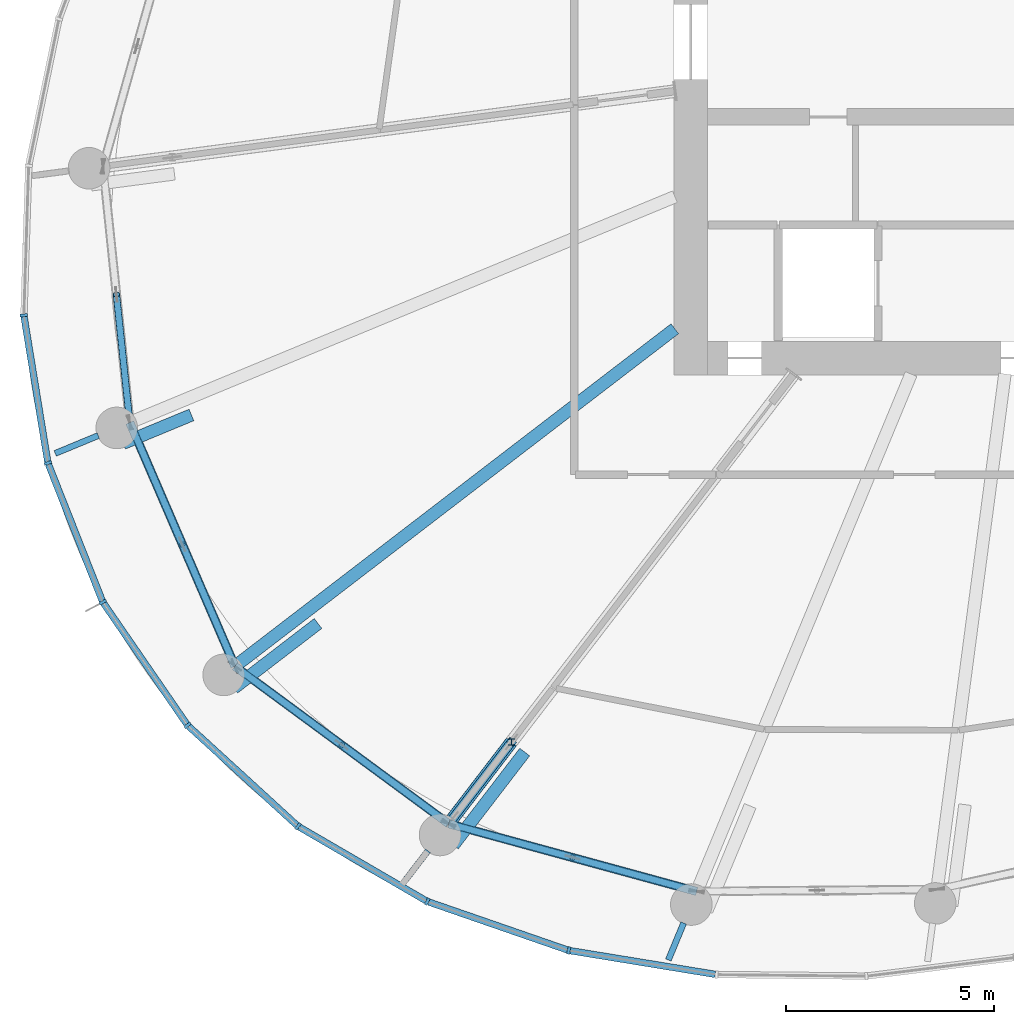
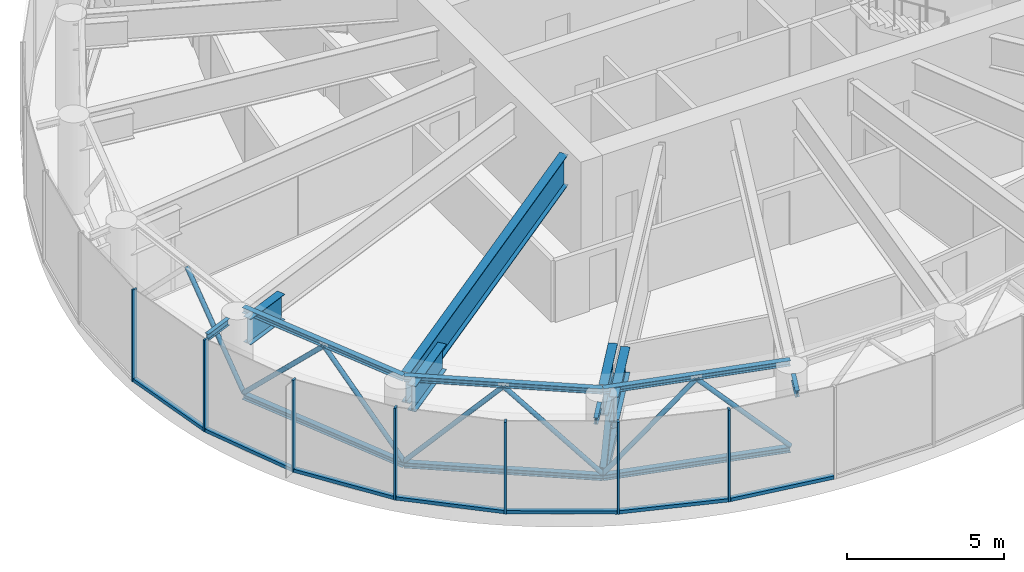
# One storey, part 2 of 25: 30 members, 8 beams, 2 elements without a shape of their own.
"""IFC4 building model written with IfcOpenShell, lengths in metres."""

from ifc_helpers import new_model, si_unit, direction, frame, origin, origin_2d, place, context, subcontext, project, spatial, rectangle, hollow_circle, i_section, extrude, source, transform, mapped, material, layer, layer_set, material_profile, profile_set, type_object, element, aggregate, save


model = new_model("IFC4")

# Units and contexts
model_context = context("Model", 3, precision=1e-05, world=origin(), true_north=direction((0.0, 1.0)))
body_context = subcontext(model_context, "Body", "Model", "MODEL_VIEW")
ifc_project = project(units=[si_unit("LENGTHUNIT", "METRE"), si_unit("AREAUNIT", "SQUARE_METRE"), si_unit("VOLUMEUNIT", "CUBIC_METRE"), si_unit("PLANEANGLEUNIT", "RADIAN"), si_unit("MASSUNIT", "GRAM", prefix="KILO")], contexts=[model_context])

# Site, building, storey
site_placement = place(None, origin())
site = spatial("IfcSite", under=ifc_project, at=site_placement, CompositionType="ELEMENT")
building_placement = place(site_placement, origin())
building = spatial("IfcBuilding", under=site, at=building_placement, Name="Spindrift Exchange Tower", CompositionType="ELEMENT")
storey_placement = place(building_placement, frame((0.0, 0.0, 179.89990234375)))
storey = spatial("IfcBuildingStorey", under=building, at=storey_placement, Name="L43", CompositionType="ELEMENT", Elevation=179.89990234375)

# Beams
ifc_material_1 = material(Name="Steel Grade 300", Category="steel")
ifc_material_profile_1 = material_profile(ifc_material_1, i_section(OverallWidth=0.14599609375, OverallDepth=0.251953125, WebThickness=0.006103515625, FlangeThickness=0.008544921875, FilletRadius=0.011962890625, at=origin_2d()), Name="250UB31.4")
ifc_profile_set_1 = profile_set([ifc_material_profile_1], Name="Steel Grade 300")
beam_type_1 = type_object("IfcBeamType", Name="Cantilever Beam 250UB31.4 Steel Grade 300", PredefinedType="BEAM", material=ifc_profile_set_1)
shared_shape_1 = source(origin(), body_context, "Body", "SweptSolid", [
    extrude(i_section(OverallWidth=0.14599609375, OverallDepth=0.251953125, WebThickness=0.006103515625, FlangeThickness=0.008544921875, FilletRadius=0.011962890625, at=origin_2d()), origin(), (0.0, 0.0, 1.0), 0.964111328125),
])
beam_1_placement = place(storey_placement, frame((43.229248046875, 26.82568359375, 3.4541015625), z_axis=(-0.382672391391, -0.923884105755, 0.0), x_axis=(0.923884105755, -0.382672391391, 0.0)))
element("IfcBeam", 1, at=beam_1_placement, inside=storey, type_object=beam_type_1, Name="L43 cantilever beam R17T", PredefinedType="BEAM", context=body_context, shape_type="MappedRepresentation", body=[
    mapped(shared_shape_1, transform((0.0, 0.0, 0.0), scale=1.0)),
])
shared_shape_2 = source(origin(), body_context, "Body", "SweptSolid", [
    extrude(i_section(OverallWidth=0.14599609375, OverallDepth=0.251953125, WebThickness=0.006103515625, FlangeThickness=0.008544921875, FilletRadius=0.011962890625, at=origin_2d()), origin(), (0.0, 0.0, 1.0), 1.1201171875),
])
beam_2_placement = place(storey_placement, frame((29.159912109375, 38.539306640625, 3.4541015625), z_axis=(-0.923868073298, -0.382711096181, 0.0), x_axis=(0.382711096181, -0.923868073298, 0.0)))
element("IfcBeam", 2, at=beam_2_placement, inside=storey, type_object=beam_type_1, Name="L43 cantilever beam R14T", PredefinedType="BEAM", context=body_context, shape_type="MappedRepresentation", body=[
    mapped(shared_shape_2, transform((0.0, 0.0, 0.0), scale=1.0)),
])
shared_shape_3 = source(origin(), body_context, "Body", "SweptSolid", [
    extrude(i_section(OverallWidth=0.14599609375, OverallDepth=0.251953125, WebThickness=0.006103515625, FlangeThickness=0.008544921875, FilletRadius=0.011962890625, at=origin_2d()), origin(), (0.0, 0.0, 1.0), 0.89990234375),
])
beam_3_placement = place(storey_placement, frame((37.0830078125, 28.559814453125, 3.4541015625), z_axis=(-0.608818785139, -0.79330932609, 0.0), x_axis=(0.79330932609, -0.608818785139, 0.0)))
element("IfcBeam", 3, at=beam_3_placement, inside=storey, type_object=beam_type_1, Name="L43 cantilever beam R16T", PredefinedType="BEAM", context=body_context, shape_type="MappedRepresentation", body=[
    mapped(shared_shape_3, transform((0.0, 0.0, 0.0), scale=1.0)),
])
ifc_material_profile_2 = material_profile(ifc_material_1, i_section(OverallWidth=0.300048828125, OverallDepth=1.199951171875, WebThickness=0.011962890625, FlangeThickness=0.028076171875, at=origin_2d()), Name="1200WB249")
ifc_profile_set_2 = profile_set([ifc_material_profile_2], Name="Steel Grade 300")
beam_type_2 = type_object("IfcBeamType", Name="Transfer Girder 1200WB249 Steel Grade 300", PredefinedType="BEAM", material=ifc_profile_set_2)
shared_shape_4 = source(origin(), body_context, "Body", "SweptSolid", [
    extrude(i_section(OverallWidth=0.300048828125, OverallDepth=1.199951171875, WebThickness=0.011962890625, FlangeThickness=0.028076171875, at=origin_2d()), origin(), (0.0, 0.0, 1.0), 13.185546875),
])
beam_4_placement = place(storey_placement, frame((43.015869140625, 41.106201171875, 2.97998046875), z_axis=(-0.793357156703, -0.608756455332, 0.0), x_axis=(0.608756455332, -0.793357156703, 0.0)))
element("IfcBeam", 4, at=beam_4_placement, inside=storey, type_object=beam_type_2, Name="L43 radial beam R15A", PredefinedType="BEAM", context=body_context, shape_type="MappedRepresentation", body=[
    mapped(shared_shape_4, transform((0.0, 0.0, 0.0), scale=1.0)),
])
ifc_material_profile_3 = material_profile(ifc_material_1, i_section(OverallWidth=0.300048828125, OverallDepth=1.199951171875, WebThickness=0.011962890625, FlangeThickness=0.028076171875, at=origin_2d()), Name="1200WB249")
ifc_profile_set_3 = profile_set([ifc_material_profile_3], Name="Steel Grade 300")
beam_type_3 = type_object("IfcBeamType", Name="Outrigger Truss Transfer Girder 1200WB249 Steel Grade 300", PredefinedType="BEAM", material=ifc_profile_set_3)
shared_shape_5 = source(origin(), body_context, "Body", "SweptSolid", [
    extrude(i_section(OverallWidth=0.300048828125, OverallDepth=1.199951171875, WebThickness=0.011962890625, FlangeThickness=0.028076171875, at=origin_2d()), origin(), (0.0, 0.0, 1.0), 2.339111328125),
])
beam_5_placement = place(storey_placement, frame((39.09130859375, 31.177001953125, 2.97998046875), z_axis=(-0.608797399117, -0.793325738161, 0.0), x_axis=(0.793325738161, -0.608797399117, 0.0)))
element("IfcBeam", 5, at=beam_5_placement, inside=storey, type_object=beam_type_3, Name="L43 outrigger truss 16 top chord 2", PredefinedType="BEAM", context=body_context, shape_type="MappedRepresentation", body=[
    mapped(shared_shape_5, transform((0.0, 0.0, 0.0), scale=1.0)),
])

# Members
ifc_material_profile_4 = material_profile(ifc_material_1, i_section(OverallWidth=0.306884765625, OverallDepth=0.31396484375, WebThickness=0.011962890625, FlangeThickness=0.018798828125, FilletRadius=0.0166015625, at=origin_2d()), Name="310UC118")
ifc_profile_set_4 = profile_set([ifc_material_profile_4], Name="Steel Grade 300")
member_type_1 = type_object("IfcMemberType", Name="Outrigger Truss Chord 310UC118 Steel Grade 300", PredefinedType="CHORD", material=ifc_profile_set_4)
shared_shape_6 = source(origin(), body_context, "Body", "SweptSolid", [
    extrude(i_section(OverallWidth=0.306884765625, OverallDepth=0.31396484375, WebThickness=0.011962890625, FlangeThickness=0.018798828125, FilletRadius=0.0166015625, at=origin_2d()), origin(), (0.0, 0.0, 1.0), 2.339111328125),
])
member_1_placement = place(storey_placement, frame((39.09130859375, 31.177001953125, 0.156982421875), z_axis=(-0.608797399117, -0.793325738161, 0.0), x_axis=(0.793325738161, -0.608797399117, 0.0)))
element("IfcMember", 6, at=member_1_placement, inside=storey, type_object=member_type_1, Name="L43 outrigger truss 16 bottom chord 2", PredefinedType="CHORD", context=body_context, shape_type="MappedRepresentation", body=[
    mapped(shared_shape_6, transform((0.0, 0.0, 0.0), scale=1.0)),
])
ifc_material_profile_5 = material_profile(ifc_material_1, i_section(OverallWidth=0.205078125, OverallDepth=0.2099609375, WebThickness=0.00927734375, FlangeThickness=0.01416015625, FilletRadius=0.012939453125, at=origin_2d()), Name="200UC59.5")
ifc_profile_set_5 = profile_set([ifc_material_profile_5], Name="Steel Grade 300")
member_type_2 = type_object("IfcMemberType", Name="Outrigger Truss Diagonal 200UC59.5 Steel Grade 300", PredefinedType="BRACE", material=ifc_profile_set_5)
shared_shape_7 = source(origin(), body_context, "Body", "SweptSolid", [
    extrude(i_section(OverallWidth=0.205078125, OverallDepth=0.2099609375, WebThickness=0.00927734375, FlangeThickness=0.01416015625, FilletRadius=0.012939453125, at=origin_2d()), origin(), (0.0, 0.0, 1.0), 3.120849609375),
])
member_2_placement = place(storey_placement, frame((39.09130859375, 31.177001953125, 2.380126953125), z_axis=(-0.456309935525, -0.594618861637, -0.661974056989), x_axis=(0.793325738161, -0.608797399117, 0.0)))
element("IfcMember", 7, at=member_2_placement, inside=storey, type_object=member_type_2, Name="L43 outrigger truss 16 diagonal 2", PredefinedType="BRACE", context=body_context, shape_type="MappedRepresentation", body=[
    mapped(shared_shape_7, transform((0.0, 0.0, 0.0), scale=1.0)),
])
ifc_material_profile_6 = material_profile(ifc_material_1, i_section(OverallWidth=0.154052734375, OverallDepth=0.162109375, WebThickness=0.008056640625, FlangeThickness=0.011474609375, FilletRadius=0.008056640625, at=origin_2d()), Name="150UC37.2")
ifc_profile_set_6 = profile_set([ifc_material_profile_6], Name="Steel Grade 300")
member_type_3 = type_object("IfcMemberType", Name="Outrigger Truss Post 150UC37.2 Steel Grade 300", PredefinedType="POST", material=ifc_profile_set_6)
shared_shape_8 = source(origin(), body_context, "Body", "SweptSolid", [
    extrude(i_section(OverallWidth=0.154052734375, OverallDepth=0.162109375, WebThickness=0.008056640625, FlangeThickness=0.011474609375, FilletRadius=0.008056640625, at=origin_2d()), origin(), (0.0, 0.0, 1.0), 2.06591796875),
])
member_3_placement = place(storey_placement, frame((39.09130859375, 31.177001953125, 0.314208984375), z_axis=(0.0, 0.0, 1.0), x_axis=(1.0, 0.0, 0.0)))
element("IfcMember", 8, at=member_3_placement, inside=storey, type_object=member_type_3, Name="L43 outrigger truss 16 post 1", PredefinedType="POST", context=body_context, shape_type="MappedRepresentation", body=[
    mapped(shared_shape_8, transform((0.0, 0.0, 0.0), scale=1.0)),
])
ifc_material_2 = material(Name="Steel Grade 350", Category="steel")
ifc_material_profile_7 = material_profile(ifc_material_2, hollow_circle(Radius=0.084228515625, WallThickness=0.007080078125, at=origin_2d()), Name="168.3x7.1CHS")
ifc_profile_set_7 = profile_set([ifc_material_profile_7], Name="Steel Grade 350")
member_type_4 = type_object("IfcMemberType", Name="Belt Truss Diagonal 168.3x7.1CHS Steel Grade 350", PredefinedType="BRACE", material=ifc_profile_set_7)
shared_shape_9 = source(origin(), body_context, "Body", "SweptSolid", [
    extrude(hollow_circle(Radius=0.084228515625, WallThickness=0.007080078125, at=origin_2d()), origin(), (0.0, 0.0, 1.0), 4.422607421875),
])
member_4_placement = place(storey_placement, frame((29.59619140625, 41.9306640625, 3.3701171875), z_axis=(0.072645747237, -0.695875600053, -0.714478652347), x_axis=(0.994595008741, 0.103830480049, 0.0)))
element("IfcMember", 9, at=member_4_placement, inside=storey, type_object=member_type_4, Name="L43 belt truss 13 diagonal 2", PredefinedType="BRACE", context=body_context, shape_type="MappedRepresentation", body=[
    mapped(shared_shape_9, transform((0.0, 0.0, 0.0), scale=1.0)),
])
ifc_material_profile_8 = material_profile(ifc_material_1, i_section(OverallWidth=0.205078125, OverallDepth=0.2099609375, WebThickness=0.00927734375, FlangeThickness=0.01416015625, FilletRadius=0.012939453125, at=origin_2d()), Name="200UC59.5")
ifc_profile_set_8 = profile_set([ifc_material_profile_8], Name="Steel Grade 300")
member_type_5 = type_object("IfcMemberType", Name="Belt Truss Chord 200UC59.5 Steel Grade 300", PredefinedType="CHORD", material=ifc_profile_set_8)
shared_shape_10 = source(origin(), body_context, "Body", "SweptSolid", [
    extrude(i_section(OverallWidth=0.205078125, OverallDepth=0.2099609375, WebThickness=0.00927734375, FlangeThickness=0.01416015625, FilletRadius=0.012939453125, at=origin_2d()), origin(), (0.0, 0.0, 1.0), 6.38037109375),
])
for number, where, z_axis, x_axis, name in (
    (10, (29.91748046875, 38.85302734375, 3.47509765625), (0.395959532566, -0.918267961202, 0.0), (0.918267961202, 0.395959532566, 0.0), "L43 belt truss 14 top chord"),
    (11, (29.91748046875, 38.85302734375, 0.10498046875), (0.395959532566, -0.918267961202, 0.0), (0.918267961202, 0.395959532566, 0.0), "L43 belt truss 14 bottom chord"),
):
    element("IfcMember", number, at=place(storey_placement, frame(where, z_axis=z_axis, x_axis=x_axis)), inside=storey, type_object=member_type_5, Name=name, PredefinedType="CHORD", context=body_context, shape_type="MappedRepresentation", body=[
        mapped(shared_shape_10, transform((0.0, 0.0, 0.0), scale=1.0)),
    ])
shared_shape_11 = source(origin(), body_context, "Body", "SweptSolid", [
    extrude(hollow_circle(Radius=0.084228515625, WallThickness=0.007080078125, at=origin_2d()), origin(), (0.0, 0.0, 1.0), 4.490234375),
])
for number, where, z_axis, x_axis, name in (
    (12, (29.91748046875, 38.85302734375, 0.210205078125), (0.281317190071, -0.652401423205, 0.703727945708), (0.918267961202, 0.395959532566, 0.0), "L43 belt truss 14 diagonal 1"),
    (13, (31.1806640625, 35.923583984375, 3.3701171875), (0.281317190071, -0.652401423205, -0.703727945708), (0.918267961202, 0.395959532566, 0.0), "L43 belt truss 14 diagonal 2"),
):
    element("IfcMember", number, at=place(storey_placement, frame(where, z_axis=z_axis, x_axis=x_axis)), inside=storey, type_object=member_type_4, Name=name, PredefinedType="BRACE", context=body_context, shape_type="MappedRepresentation", body=[
        mapped(shared_shape_11, transform((0.0, 0.0, 0.0), scale=1.0)),
    ])
shared_shape_12 = source(origin(), body_context, "Body", "SweptSolid", [
    extrude(i_section(OverallWidth=0.205078125, OverallDepth=0.2099609375, WebThickness=0.00927734375, FlangeThickness=0.01416015625, FilletRadius=0.012939453125, at=origin_2d()), origin(), (0.0, 0.0, 1.0), 6.381103515625),
])
for number, where, z_axis, x_axis, name in (
    (14, (32.44384765625, 32.994140625, 3.47509765625), (0.805212557034, -0.592986288201, 0.0), (0.592986288201, 0.805212557034, 0.0), "L43 belt truss 15 top chord"),
    (15, (32.44384765625, 32.994140625, 0.10498046875), (0.805212557034, -0.592986288201, 0.0), (0.592986288201, 0.805212557034, 0.0), "L43 belt truss 15 bottom chord"),
):
    element("IfcMember", number, at=place(storey_placement, frame(where, z_axis=z_axis, x_axis=x_axis)), inside=storey, type_object=member_type_5, Name=name, PredefinedType="CHORD", context=body_context, shape_type="MappedRepresentation", body=[
        mapped(shared_shape_12, transform((0.0, 0.0, 0.0), scale=1.0)),
    ])
shared_shape_13 = source(origin(), body_context, "Body", "SweptSolid", [
    extrude(hollow_circle(Radius=0.084228515625, WallThickness=0.007080078125, at=origin_2d()), origin(), (0.0, 0.0, 1.0), 4.490478515625),
])
for number, where, z_axis, x_axis, name in (
    (16, (32.44384765625, 32.994140625, 0.210205078125), (0.572120394731, -0.421301999313, 0.703692318636), (0.592961481053, 0.805230825284, 0.0), "L43 belt truss 15 diagonal 1"),
    (17, (35.012939453125, 31.102294921875, 3.3701171875), (0.572107289584, -0.421346716172, -0.703676199666), (0.59301109366, 0.80519428885, 0.0), "L43 belt truss 15 diagonal 2"),
):
    element("IfcMember", number, at=place(storey_placement, frame(where, z_axis=z_axis, x_axis=x_axis)), inside=storey, type_object=member_type_4, Name=name, PredefinedType="BRACE", context=body_context, shape_type="MappedRepresentation", body=[
        mapped(shared_shape_13, transform((0.0, 0.0, 0.0), scale=1.0)),
    ])
shared_shape_14 = source(origin(), body_context, "Body", "SweptSolid", [
    extrude(i_section(OverallWidth=0.205078125, OverallDepth=0.2099609375, WebThickness=0.00927734375, FlangeThickness=0.01416015625, FilletRadius=0.012939453125, at=origin_2d()), origin(), (0.0, 0.0, 1.0), 6.17919921875),
])
for number, where, z_axis, x_axis, name in (
    (18, (37.58203125, 29.210205078125, 3.47509765625), (0.964715481207, -0.263294588474, 0.0), (0.263294588474, 0.964715481207, 0.0), "L43 belt truss 16 top chord"),
    (19, (37.58203125, 29.210205078125, 0.10498046875), (0.964715481207, -0.263294588474, 0.0), (0.263294588474, 0.964715481207, 0.0), "L43 belt truss 16 bottom chord"),
):
    element("IfcMember", number, at=place(storey_placement, frame(where, z_axis=z_axis, x_axis=x_axis)), inside=storey, type_object=member_type_5, Name=name, PredefinedType="CHORD", context=body_context, shape_type="MappedRepresentation", body=[
        mapped(shared_shape_14, transform((0.0, 0.0, 0.0), scale=1.0)),
    ])
shared_shape_15 = source(origin(), body_context, "Body", "SweptSolid", [
    extrude(hollow_circle(Radius=0.084228515625, WallThickness=0.007080078125, at=origin_2d()), origin(), (0.0, 0.0, 1.0), 4.419189453125),
])
member_5_placement = place(storey_placement, frame((37.58203125, 29.210205078125, 0.210205078125), z_axis=(0.67442497447, -0.184074706335, 0.715029689103), x_axis=(0.263304624553, 0.964712742058, 0.0)))
element("IfcMember", 20, at=member_5_placement, inside=storey, type_object=member_type_4, Name="L43 belt truss 16 diagonal 1", PredefinedType="BRACE", context=body_context, shape_type="MappedRepresentation", body=[
    mapped(shared_shape_15, transform((0.0, 0.0, 0.0), scale=1.0)),
])
shared_shape_16 = source(origin(), body_context, "Body", "SweptSolid", [
    extrude(hollow_circle(Radius=0.084228515625, WallThickness=0.007080078125, at=origin_2d()), origin(), (0.0, 0.0, 1.0), 4.41943359375),
])
member_6_placement = place(storey_placement, frame((40.5625, 28.396728515625, 3.3701171875), z_axis=(0.674455089384, -0.184067848131, -0.715003048726), x_axis=(0.263284553131, 0.964718220043, 0.0)))
element("IfcMember", 21, at=member_6_placement, inside=storey, type_object=member_type_4, Name="L43 belt truss 16 diagonal 2", PredefinedType="BRACE", context=body_context, shape_type="MappedRepresentation", body=[
    mapped(shared_shape_16, transform((0.0, 0.0, 0.0), scale=1.0)),
])

# Beams
ifc_material_profile_9 = material_profile(ifc_material_1, i_section(OverallWidth=0.300048828125, OverallDepth=1.0, WebThickness=0.010009765625, FlangeThickness=0.02001953125, at=origin_2d()), Name="1000WB215")
ifc_profile_set_9 = profile_set([ifc_material_profile_9], Name="Steel Grade 300")
beam_type_4 = type_object("IfcBeamType", Name="Transfer Tie Beam 1000WB215 Steel Grade 300", PredefinedType="BEAM", material=ifc_profile_set_9)
shared_shape_17 = source(origin(), body_context, "Body", "SweptSolid", [
    extrude(i_section(OverallWidth=0.300048828125, OverallDepth=1.0, WebThickness=0.010009765625, FlangeThickness=0.02001953125, at=origin_2d()), origin(), (0.0, 0.0, 1.0), 1.77880859375),
])
beam_6_placement = place(storey_placement, frame((29.75634765625, 38.353515625, 2.97998046875), z_axis=(0.923903097912, 0.382626535499, 0.0), x_axis=(-0.382626535499, 0.923903097912, 0.0)))
element("IfcBeam", 22, at=beam_6_placement, inside=storey, type_object=beam_type_4, Name="L43 transfer tie beam K14", PredefinedType="BEAM", context=body_context, shape_type="MappedRepresentation", body=[
    mapped(shared_shape_17, transform((0.0, 0.0, 0.0), scale=1.0)),
])
shared_shape_18 = source(origin(), body_context, "Body", "SweptSolid", [
    extrude(i_section(OverallWidth=0.300048828125, OverallDepth=1.0, WebThickness=0.010009765625, FlangeThickness=0.02001953125, at=origin_2d()), origin(), (0.0, 0.0, 1.0), 2.551025390625),
])
beam_7_placement = place(storey_placement, frame((32.41748046875, 32.4697265625, 2.97998046875), z_axis=(0.793359844795, 0.60875295208, 0.0), x_axis=(-0.60875295208, 0.793359844795, 0.0)))
element("IfcBeam", 23, at=beam_7_placement, inside=storey, type_object=beam_type_4, Name="L43 transfer tie beam K15", PredefinedType="BEAM", context=body_context, shape_type="MappedRepresentation", body=[
    mapped(shared_shape_18, transform((0.0, 0.0, 0.0), scale=1.0)),
])
shared_shape_19 = source(origin(), body_context, "Body", "SweptSolid", [
    extrude(i_section(OverallWidth=0.300048828125, OverallDepth=1.0, WebThickness=0.010009765625, FlangeThickness=0.02001953125, at=origin_2d()), origin(), (0.0, 0.0, 1.0), 2.81884765625),
])
beam_8_placement = place(storey_placement, frame((37.6923828125, 28.697021484375, 2.97998046875), z_axis=(0.60877695358, 0.793341427627, 0.0), x_axis=(-0.793341427627, 0.60877695358, 0.0)))
element("IfcBeam", 24, at=beam_8_placement, inside=storey, type_object=beam_type_4, Name="L43 transfer tie beam K16", PredefinedType="BEAM", context=body_context, shape_type="MappedRepresentation", body=[
    mapped(shared_shape_19, transform((0.0, 0.0, 0.0), scale=1.0)),
])

# Curtain wall, members
ifc_material_3 = material(Name="Fritted laminated glass with bronze frame", Category="glass")
ifc_layer = layer(ifc_material_3, 0.179931640625)
ifc_layer_set = layer_set([ifc_layer], Name="ZONE 3 BRONZE FRITTED WALL")
curtain_wall_type = type_object("IfcCurtainWallType", Name="ZONE 3 BRONZE FRITTED WALL", PredefinedType="NOTDEFINED", material=ifc_layer_set)
curtain_wall_1_placement = place(storey_placement, origin())
curtain_wall_1 = element("IfcCurtainWall", 25, at=curtain_wall_1_placement, inside=storey, type_object=curtain_wall_type, Name="L43 Zone 3 Bronze Fritted Wall run 4", PredefinedType="NOTDEFINED")
ifc_material_4 = material(Name="Bronze anodised aluminium", Category="aluminium")
ifc_material_profile_10 = material_profile(ifc_material_4, rectangle(XDim=0.159912109375, YDim=0.1298828125, at=origin_2d()), Name="ZONE 3 BRONZE FRITTED WALL TRANSOM 160X130")
ifc_profile_set_10 = profile_set([ifc_material_profile_10], Name="Bronze anodised aluminium")
member_type_6 = type_object("IfcMemberType", Name="ZONE 3 BRONZE FRITTED WALL TRANSOM 160X130", PredefinedType="USERDEFINED", material=ifc_profile_set_10)
shared_shape_20 = source(origin(), body_context, "Body", "SweptSolid", [
    extrude(rectangle(XDim=0.159912109375, YDim=0.1298828125, at=origin_2d()), origin(), (0.0, 0.0, 1.0), 3.525146484375),
])
member_7_placement = place(storey_placement, frame((27.96240234375, 37.84814453125, 0.065185546875), z_axis=(0.366920535029, -0.930252288884, 0.0), x_axis=(0.930252288884, 0.366920535029, 0.0)))
member_7 = element("IfcMember", 26, at=member_7_placement, type_object=member_type_6, Name="L43 transom CW-3.20", ObjectType="TRANSOM", PredefinedType="USERDEFINED", context=body_context, shape_type="MappedRepresentation", body=[
    mapped(shared_shape_20, transform((0.0, 0.0, 0.0), scale=1.0)),
])
member_8_placement = place(storey_placement, frame((31.33251953125, 31.5517578125, 0.065185546875), z_axis=(0.737849441885, -0.674965333265, 0.0), x_axis=(0.674965333265, 0.737849441885, 0.0)))
member_8 = element("IfcMember", 27, at=member_8_placement, type_object=member_type_6, Name="L43 transom CW-3.22", ObjectType="TRANSOM", PredefinedType="USERDEFINED", context=body_context, shape_type="MappedRepresentation", body=[
    mapped(shared_shape_20, transform((0.0, 0.0, 0.0), scale=1.0)),
])
ifc_material_profile_11 = material_profile(ifc_material_4, rectangle(XDim=0.070068359375, YDim=0.179931640625, at=origin_2d()), Name="ZONE 3 BRONZE FRITTED WALL MULLION 70X180")
ifc_profile_set_11 = profile_set([ifc_material_profile_11], Name="Bronze anodised aluminium")
member_type_7 = type_object("IfcMemberType", Name="ZONE 3 BRONZE FRITTED WALL MULLION 70X180", PredefinedType="MULLION", material=ifc_profile_set_11)
shared_shape_21 = source(origin(), body_context, "Body", "SweptSolid", [
    extrude(rectangle(XDim=0.070068359375, YDim=0.179931640625, at=origin_2d()), origin(), (0.0, 0.0, 1.0), 3.580078125),
])
member_9_placement = place(storey_placement, frame((27.37109375, 41.43017578125, 0.0), z_axis=(0.0, 0.0, 1.0), x_axis=(0.064724019588, -0.997903202364, 0.0)))
member_9 = element("IfcMember", 28, at=member_9_placement, type_object=member_type_7, Name="L43 mullion CW-3.19", PredefinedType="MULLION", context=body_context, shape_type="MappedRepresentation", body=[
    mapped(shared_shape_21, transform((0.0, 0.0, 0.0), scale=1.0)),
])
member_10_placement = place(storey_placement, frame((27.949462890625, 37.880615234375, 0.0), z_axis=(0.0, 0.0, 1.0), x_axis=(0.265411091856, -0.964135339213, 0.0)))
member_10 = element("IfcMember", 29, at=member_10_placement, type_object=member_type_7, Name="L43 mullion CW-3.20", PredefinedType="MULLION", context=body_context, shape_type="MappedRepresentation", body=[
    mapped(shared_shape_21, transform((0.0, 0.0, 0.0), scale=1.0)),
])
member_11_placement = place(storey_placement, frame((29.268798828125, 34.536376953125, 0.0), z_axis=(0.0, 0.0, 1.0), x_axis=(0.469975055734, -0.882679696712, 0.0)))
member_11 = element("IfcMember", 30, at=member_11_placement, type_object=member_type_7, Name="L43 mullion CW-3.21", PredefinedType="MULLION", context=body_context, shape_type="MappedRepresentation", body=[
    mapped(shared_shape_21, transform((0.0, 0.0, 0.0), scale=1.0)),
])
member_12_placement = place(storey_placement, frame((31.306640625, 31.5751953125, 0.0), z_axis=(0.0, 0.0, 1.0), x_axis=(0.656645172645, -0.754199653435, 0.0)))
member_12 = element("IfcMember", 31, at=member_12_placement, type_object=member_type_7, Name="L43 mullion CW-3.22", PredefinedType="MULLION", context=body_context, shape_type="MappedRepresentation", body=[
    mapped(shared_shape_21, transform((0.0, 0.0, 0.0), scale=1.0)),
])
member_13_placement = place(storey_placement, frame((33.95947265625, 29.148681640625, 0.0), z_axis=(0.0, 0.0, 1.0), x_axis=(0.805786604209, -0.592206001723, 0.0)))
member_13 = element("IfcMember", 32, at=member_13_placement, type_object=member_type_7, Name="L43 mullion CW-3.23", PredefinedType="MULLION", context=body_context, shape_type="MappedRepresentation", body=[
    mapped(shared_shape_21, transform((0.0, 0.0, 0.0), scale=1.0)),
])
member_14_placement = place(storey_placement, frame((37.068359375, 27.341064453125, 0.0), z_axis=(0.0, 0.0, 1.0), x_axis=(0.908993944323, -0.416809319935, 0.0)))
member_14 = element("IfcMember", 33, at=member_14_placement, type_object=member_type_7, Name="L43 mullion CW-3.24", PredefinedType="MULLION", context=body_context, shape_type="MappedRepresentation", body=[
    mapped(shared_shape_21, transform((0.0, 0.0, 0.0), scale=1.0)),
])

# Curtain wall, member
curtain_wall_2_placement = place(storey_placement, origin())
curtain_wall_2 = element("IfcCurtainWall", 34, at=curtain_wall_2_placement, inside=storey, type_object=curtain_wall_type, Name="L43 Zone 3 Bronze Fritted Wall run 5", PredefinedType="NOTDEFINED")
member_15_placement = place(storey_placement, frame((40.468017578125, 26.16455078125, 0.0), z_axis=(0.0, 0.0, 1.0), x_axis=(0.969531058982, -0.244968417697, 0.0)))
member_15 = element("IfcMember", 35, at=member_15_placement, type_object=member_type_7, Name="L43 mullion CW-3.25", PredefinedType="MULLION", context=body_context, shape_type="MappedRepresentation", body=[
    mapped(shared_shape_21, transform((0.0, 0.0, 0.0), scale=1.0)),
])

# Member
shared_shape_22 = source(origin(), body_context, "Body", "SweptSolid", [
    extrude(rectangle(XDim=0.159912109375, YDim=0.1298828125, at=origin_2d()), origin(), (0.0, 0.0, 1.0), 3.524658203125),
])
member_16_placement = place(storey_placement, frame((29.28857421875, 34.507568359375, 0.065185546875), z_axis=(0.566963831833, -0.823742686397, 0.0), x_axis=(0.823742686397, 0.566963831833, 0.0)))
member_16 = element("IfcMember", 36, at=member_16_placement, type_object=member_type_6, Name="L43 transom CW-3.21", ObjectType="TRANSOM", PredefinedType="USERDEFINED", context=body_context, shape_type="MappedRepresentation", body=[
    mapped(shared_shape_22, transform((0.0, 0.0, 0.0), scale=1.0)),
])

shared_shape_23 = source(origin(), body_context, "Body", "SweptSolid", [
    extrude(rectangle(XDim=0.159912109375, YDim=0.1298828125, at=origin_2d()), origin(), (0.0, 0.0, 1.0), 3.527587890625),
])
member_17_placement = place(storey_placement, frame((37.101318359375, 27.32958984375, 0.065185546875), z_axis=(0.945023093648, -0.327003597033, 0.0), x_axis=(0.327003597033, 0.945023093648, 0.0)))
member_17 = element("IfcMember", 37, at=member_17_placement, type_object=member_type_6, Name="L43 transom CW-3.24", ObjectType="TRANSOM", PredefinedType="USERDEFINED", context=body_context, shape_type="MappedRepresentation", body=[
    mapped(shared_shape_23, transform((0.0, 0.0, 0.0), scale=1.0)),
])

shared_shape_24 = source(origin(), body_context, "Body", "SweptSolid", [
    extrude(rectangle(XDim=0.159912109375, YDim=0.1298828125, at=origin_2d()), origin(), (0.0, 0.0, 1.0), 3.526123046875),
])
member_18_placement = place(storey_placement, frame((27.376708984375, 41.3955078125, 0.065185546875), z_axis=(0.160838734841, -0.986980699596, 0.0), x_axis=(0.986980699596, 0.160838734841, 0.0)))
member_18 = element("IfcMember", 38, at=member_18_placement, type_object=member_type_6, Name="L43 transom CW-3.19", ObjectType="TRANSOM", PredefinedType="USERDEFINED", context=body_context, shape_type="MappedRepresentation", body=[
    mapped(shared_shape_24, transform((0.0, 0.0, 0.0), scale=1.0)),
])

member_19_placement = place(storey_placement, frame((33.98974609375, 29.131103515625, 0.065185546875), z_axis=(0.86448619671, -0.502656558395, 0.0), x_axis=(0.502656558395, 0.86448619671, 0.0)))
member_19 = element("IfcMember", 39, at=member_19_placement, type_object=member_type_6, Name="L43 transom CW-3.23", ObjectType="TRANSOM", PredefinedType="USERDEFINED", context=body_context, shape_type="MappedRepresentation", body=[
    mapped(shared_shape_24, transform((0.0, 0.0, 0.0), scale=1.0)),
])

aggregate(curtain_wall_1, [member_9, member_18, member_10, member_7, member_11, member_16, member_12, member_8, member_13, member_19, member_14, member_17])

shared_shape_25 = source(origin(), body_context, "Body", "SweptSolid", [
    extrude(rectangle(XDim=0.159912109375, YDim=0.1298828125, at=origin_2d()), origin(), (0.0, 0.0, 1.0), 3.528564453125),
])
member_20_placement = place(storey_placement, frame((40.502685546875, 26.158935546875, 0.065185546875), z_axis=(0.986930859723, -0.161144277362, 0.0), x_axis=(0.161144277362, 0.986930859723, 0.0)))
member_20 = element("IfcMember", 40, at=member_20_placement, type_object=member_type_6, Name="L43 transom CW-3.25", ObjectType="TRANSOM", PredefinedType="USERDEFINED", context=body_context, shape_type="MappedRepresentation", body=[
    mapped(shared_shape_25, transform((0.0, 0.0, 0.0), scale=1.0)),
])

aggregate(curtain_wall_2, [member_15, member_20])

save(model, "model.ifc")
